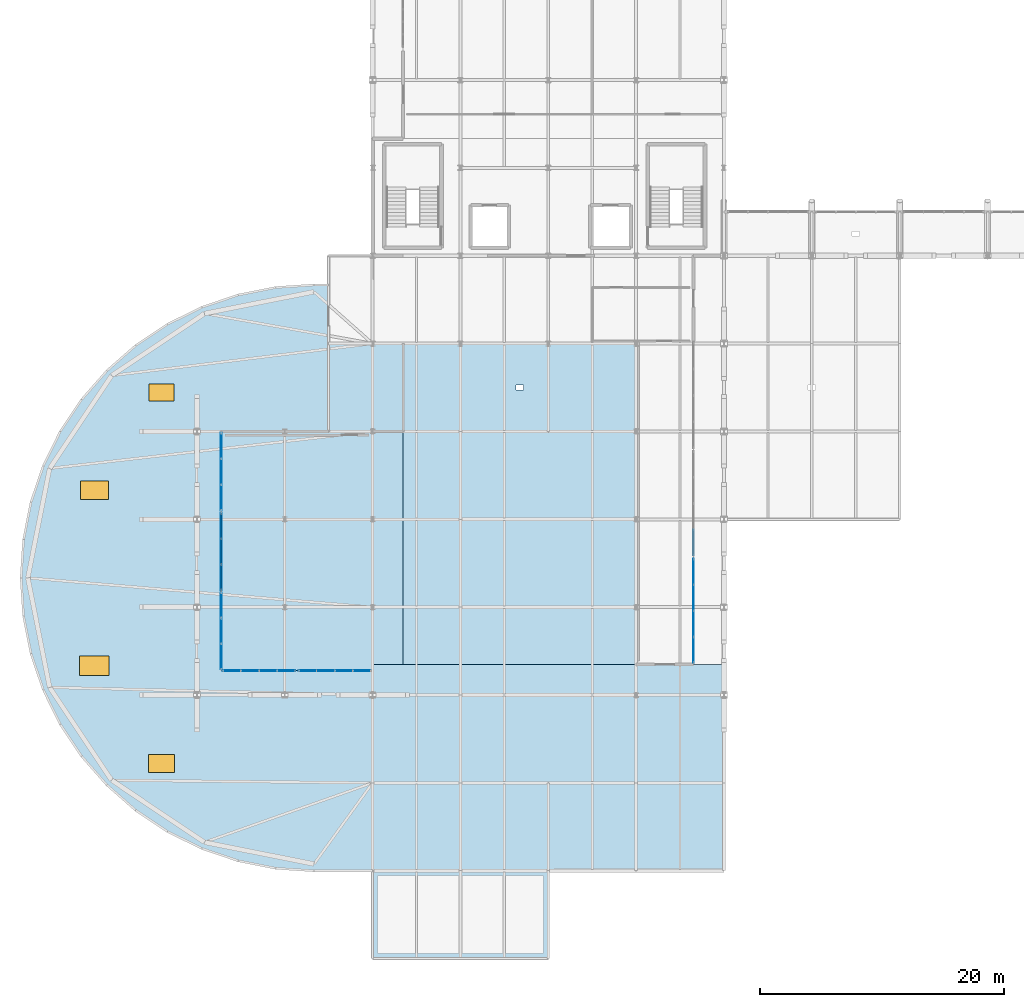
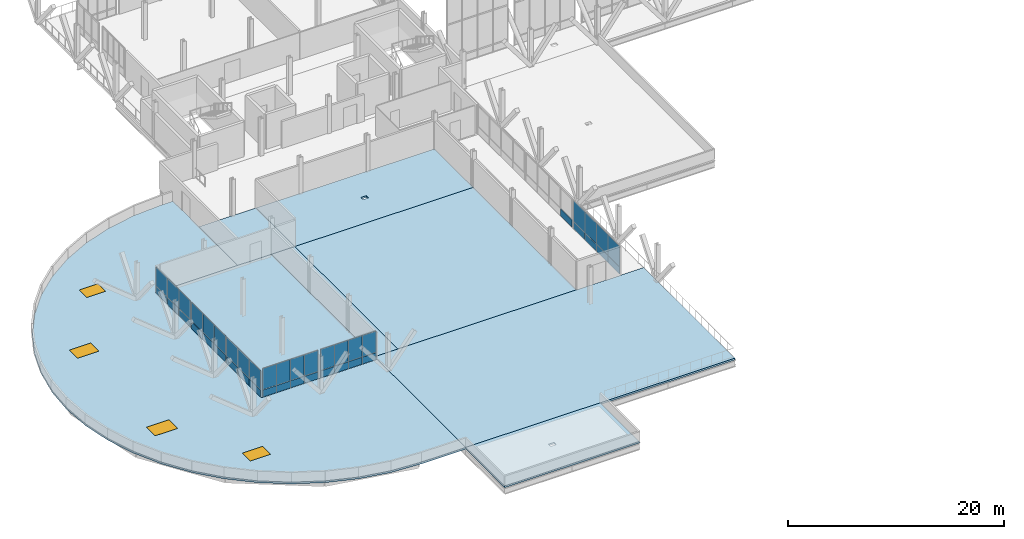
# One storey, part 74 of 102: 43 plates, 8 slabs, 4 windows, 4 openings, 7 elements without a shape of their own.
"""IFC4 building model written with IfcOpenShell, lengths in metres."""

from ifc_helpers import new_model, si_unit, direction, frame, origin, origin_2d, place, context, subcontext, project, spatial, polyline, rectangle, outline, extrude, material, layer, layer_set, type_object, element, fill, aggregate, save


model = new_model("IFC4")

# Units and contexts
model_context = context("Model", 3, precision=1e-05, world=origin(), true_north=direction((0.0, 1.0)))
body_context = subcontext(model_context, "Body", "Model", "MODEL_VIEW")
ifc_project = project(units=[si_unit("LENGTHUNIT", "METRE"), si_unit("AREAUNIT", "SQUARE_METRE"), si_unit("VOLUMEUNIT", "CUBIC_METRE"), si_unit("PLANEANGLEUNIT", "RADIAN"), si_unit("MASSUNIT", "GRAM", prefix="KILO")], contexts=[model_context])

# Site, building, storey
site_placement = place(None, origin())
site = spatial("IfcSite", under=ifc_project, at=site_placement, CompositionType="ELEMENT")
building_placement = place(site_placement, origin())
building = spatial("IfcBuilding", under=site, at=building_placement, Name="Yarey Park Central Fire Station", CompositionType="ELEMENT")
storey_placement = place(building_placement, frame((0.0, 0.0, 6.0)))
storey = spatial("IfcBuildingStorey", under=building, at=storey_placement, Name="L02", CompositionType="ELEMENT", Elevation=6.0)

# Curtain wall, plates
ifc_material_1 = material(Name="Anodized Aluminium Frame", Category="aluminium")
curtain_wall_type_1 = type_object("IfcCurtainWallType", Name="ENV_CW_V3_GALW", PredefinedType="NOTDEFINED", material=ifc_material_1)
curtain_wall_1_placement = place(storey_placement, origin())
curtain_wall_1 = element("IfcCurtainWall", 1, at=curtain_wall_1_placement, inside=storey, type_object=curtain_wall_type_1, Name="CW_L02_V1_W_032", PredefinedType="NOTDEFINED")
ifc_material_2 = material(Name="Insulated Aluminium Spandrel Panel", Category="aluminium")
ifc_layer_1 = layer(ifc_material_2, 0.055908203125)
ifc_layer_set_1 = layer_set([ifc_layer_1], Name="Insulated Aluminium Spandrel Panel")
plate_type_1 = type_object("IfcPlateType", Name="ENV_PNL_SPN_01", PredefinedType="CURTAIN_PANEL", material=ifc_layer_set_1)
plate_1_placement = place(storey_placement, frame((16.39990234375, 42.046630859375, 0.04248046875), z_axis=(0.0, 0.0, 1.0), x_axis=(0.0, -1.0, 0.0)))
plate_1 = element("IfcPlate", 2, at=plate_1_placement, type_object=plate_type_1, Name="CW_L02_V1_W_032_PNL01", PredefinedType="CURTAIN_PANEL", context=body_context, shape_type="SweptSolid", body=[
    extrude(rectangle(XDim=2.106689453125, YDim=0.055908203125, at=origin_2d()), origin(), (0.0, 0.0, 1.0), 0.7900390625),
])
plate_2_placement = place(storey_placement, frame((16.39990234375, 39.89990234375, 0.04248046875), z_axis=(0.0, 0.0, 1.0), x_axis=(0.0, -1.0, 0.0)))
plate_2 = element("IfcPlate", 3, at=plate_2_placement, type_object=plate_type_1, Name="CW_L02_V1_W_032_PNL03", PredefinedType="CURTAIN_PANEL", context=body_context, shape_type="SweptSolid", body=[
    extrude(rectangle(XDim=2.106689453125, YDim=0.055908203125, at=origin_2d()), origin(), (0.0, 0.0, 1.0), 0.7900390625),
])
plate_3_placement = place(storey_placement, frame((16.39990234375, 37.75341796875, 0.04248046875), z_axis=(0.0, 0.0, 1.0), x_axis=(0.0, -1.0, 0.0)))
plate_3 = element("IfcPlate", 4, at=plate_3_placement, type_object=plate_type_1, Name="CW_L02_V1_W_032_PNL05", PredefinedType="CURTAIN_PANEL", context=body_context, shape_type="SweptSolid", body=[
    extrude(rectangle(XDim=2.106689453125, YDim=0.055908203125, at=origin_2d()), origin(), (0.0, 0.0, 1.0), 0.7900390625),
])

curtain_wall_type_2 = type_object("IfcCurtainWallType", Name="ENV_CW_V3_GALN", PredefinedType="NOTDEFINED", material=ifc_material_1)
curtain_wall_2_placement = place(storey_placement, origin())
curtain_wall_2 = element("IfcCurtainWall", 5, at=curtain_wall_2_placement, inside=storey, type_object=curtain_wall_type_2, Name="CW_L02_V1_SW_033", PredefinedType="NOTDEFINED")
ifc_layer_2 = layer(ifc_material_2, 0.068115234375)
ifc_layer_set_2 = layer_set([ifc_layer_2], Name="Insulated Aluminium Spandrel Panel")
plate_type_2 = type_object("IfcPlateType", Name="ENV_PNL_SPN_02", PredefinedType="CURTAIN_PANEL", material=ifc_layer_set_2)
plate_4_placement = place(storey_placement, frame((17.264892578125, 23.60009765625, 0.04248046875), z_axis=(0.0, 0.0, 1.0), x_axis=(1.0, 0.0, 0.0)))
plate_4 = element("IfcPlate", 6, at=plate_4_placement, type_object=plate_type_2, Name="CW_L02_V1_SW_033_PNL01", PredefinedType="CURTAIN_PANEL", context=body_context, shape_type="SweptSolid", body=[
    extrude(rectangle(XDim=1.449951171875, YDim=0.068115234375, at=origin_2d()), origin(), (0.0, 0.0, 1.0), 0.7900390625),
])
plate_5_placement = place(storey_placement, frame((18.7548828125, 23.60009765625, 0.04248046875), z_axis=(0.0, 0.0, 1.0), x_axis=(1.0, 0.0, 0.0)))
plate_5 = element("IfcPlate", 7, at=plate_5_placement, type_object=plate_type_2, Name="CW_L02_V1_SW_033_PNL03", PredefinedType="CURTAIN_PANEL", context=body_context, shape_type="SweptSolid", body=[
    extrude(rectangle(XDim=1.449951171875, YDim=0.068115234375, at=origin_2d()), origin(), (0.0, 0.0, 1.0), 0.7900390625),
])
plate_6_placement = place(storey_placement, frame((20.2451171875, 23.60009765625, 0.04248046875), z_axis=(0.0, 0.0, 1.0), x_axis=(1.0, 0.0, 0.0)))
plate_6 = element("IfcPlate", 8, at=plate_6_placement, type_object=plate_type_2, Name="CW_L02_V1_SW_033_PNL05", PredefinedType="CURTAIN_PANEL", context=body_context, shape_type="SweptSolid", body=[
    extrude(rectangle(XDim=1.449951171875, YDim=0.068115234375, at=origin_2d()), origin(), (0.0, 0.0, 1.0), 0.7900390625),
])
plate_7_placement = place(storey_placement, frame((21.735107421875, 23.60009765625, 0.04248046875), z_axis=(0.0, 0.0, 1.0), x_axis=(1.0, 0.0, 0.0)))
plate_7 = element("IfcPlate", 9, at=plate_7_placement, type_object=plate_type_2, Name="CW_L02_V1_SW_033_PNL07", PredefinedType="CURTAIN_PANEL", context=body_context, shape_type="SweptSolid", body=[
    extrude(rectangle(XDim=1.449951171875, YDim=0.068115234375, at=origin_2d()), origin(), (0.0, 0.0, 1.0), 0.7900390625),
])

curtain_wall_3_placement = place(storey_placement, origin())
curtain_wall_3 = element("IfcCurtainWall", 10, at=curtain_wall_3_placement, inside=storey, type_object=curtain_wall_type_1, Name="CW_L02_V1_E_037", PredefinedType="NOTDEFINED")
plate_8_placement = place(storey_placement, frame((55.10009765625, 25.2900390625, 0.04248046875), z_axis=(0.0, 0.0, 1.0), x_axis=(0.0, 1.0, 0.0)))
plate_8 = element("IfcPlate", 11, at=plate_8_placement, type_object=plate_type_2, Name="CW_L02_V1_E_037_PNL01", PredefinedType="CURTAIN_PANEL", context=body_context, shape_type="SweptSolid", body=[
    extrude(rectangle(XDim=2.10009765625, YDim=0.068115234375, at=origin_2d()), origin(), (0.0, 0.0, 1.0), 0.7900390625),
])
plate_9_placement = place(storey_placement, frame((55.10009765625, 27.429931640625, 0.04248046875), z_axis=(0.0, 0.0, 1.0), x_axis=(0.0, 1.0, 0.0)))
plate_9 = element("IfcPlate", 12, at=plate_9_placement, type_object=plate_type_2, Name="CW_L02_V1_E_037_PNL03", PredefinedType="CURTAIN_PANEL", context=body_context, shape_type="SweptSolid", body=[
    extrude(rectangle(XDim=2.10009765625, YDim=0.068115234375, at=origin_2d()), origin(), (0.0, 0.0, 1.0), 0.7900390625),
])
plate_10_placement = place(storey_placement, frame((55.10009765625, 29.570068359375, 0.04248046875), z_axis=(0.0, 0.0, 1.0), x_axis=(0.0, 1.0, 0.0)))
plate_10 = element("IfcPlate", 13, at=plate_10_placement, type_object=plate_type_2, Name="CW_L02_V1_E_037_PNL05", PredefinedType="CURTAIN_PANEL", context=body_context, shape_type="SweptSolid", body=[
    extrude(rectangle(XDim=2.10009765625, YDim=0.068115234375, at=origin_2d()), origin(), (0.0, 0.0, 1.0), 0.7900390625),
])
plate_11_placement = place(storey_placement, frame((55.10009765625, 31.7099609375, 0.04248046875), z_axis=(0.0, 0.0, 1.0), x_axis=(0.0, 1.0, 0.0)))
plate_11 = element("IfcPlate", 14, at=plate_11_placement, type_object=plate_type_2, Name="CW_L02_V1_E_037_PNL07", PredefinedType="CURTAIN_PANEL", context=body_context, shape_type="SweptSolid", body=[
    extrude(rectangle(XDim=2.10009765625, YDim=0.068115234375, at=origin_2d()), origin(), (0.0, 0.0, 1.0), 0.7900390625),
])

curtain_wall_4_placement = place(storey_placement, origin())
curtain_wall_4 = element("IfcCurtainWall", 15, at=curtain_wall_4_placement, inside=storey, type_object=curtain_wall_type_1, Name="CW_L02_V1_W_030", PredefinedType="NOTDEFINED")
ifc_layer_3 = layer(ifc_material_2, 0.077880859375)
ifc_layer_set_3 = layer_set([ifc_layer_3], Name="Insulated Aluminium Spandrel Panel")
plate_type_3 = type_object("IfcPlateType", Name="ENV_PNL_SPN_03", PredefinedType="CURTAIN_PANEL", material=ifc_layer_set_3)
plate_12_placement = place(storey_placement, frame((16.39990234375, 28.96337890625, 0.04248046875), z_axis=(0.0, 0.0, 1.0), x_axis=(0.0, -1.0, 0.0)))
plate_12 = element("IfcPlate", 16, at=plate_12_placement, type_object=plate_type_3, Name="CW_L02_V1_W_030_PNL01", PredefinedType="CURTAIN_PANEL", context=body_context, shape_type="SweptSolid", body=[
    extrude(rectangle(XDim=2.0732421875, YDim=0.077880859375, at=origin_2d()), origin(), (0.0, 0.0, 1.0), 0.7900390625),
])
plate_13_placement = place(storey_placement, frame((16.39990234375, 26.85009765625, 0.04248046875), z_axis=(0.0, 0.0, 1.0), x_axis=(0.0, -1.0, 0.0)))
plate_13 = element("IfcPlate", 17, at=plate_13_placement, type_object=plate_type_3, Name="CW_L02_V1_W_030_PNL03", PredefinedType="CURTAIN_PANEL", context=body_context, shape_type="SweptSolid", body=[
    extrude(rectangle(XDim=2.0732421875, YDim=0.077880859375, at=origin_2d()), origin(), (0.0, 0.0, 1.0), 0.7900390625),
])
plate_14_placement = place(storey_placement, frame((16.39990234375, 24.73681640625, 0.04248046875), z_axis=(0.0, 0.0, 1.0), x_axis=(0.0, -1.0, 0.0)))
plate_14 = element("IfcPlate", 18, at=plate_14_placement, type_object=plate_type_3, Name="CW_L02_V1_W_030_PNL05", PredefinedType="CURTAIN_PANEL", context=body_context, shape_type="SweptSolid", body=[
    extrude(rectangle(XDim=2.0732421875, YDim=0.077880859375, at=origin_2d()), origin(), (0.0, 0.0, 1.0), 0.7900390625),
])

curtain_wall_5_placement = place(storey_placement, origin())
curtain_wall_5 = element("IfcCurtainWall", 19, at=curtain_wall_5_placement, inside=storey, type_object=curtain_wall_type_2, Name="CW_L02_V1_SW_034", PredefinedType="NOTDEFINED")
plate_15_placement = place(storey_placement, frame((23.465087890625, 23.60009765625, 0.04248046875), z_axis=(0.0, 0.0, 1.0), x_axis=(1.0, 0.0, 0.0)))
plate_15 = element("IfcPlate", 20, at=plate_15_placement, type_object=plate_type_3, Name="CW_L02_V1_SW_034_PNL01", PredefinedType="CURTAIN_PANEL", context=body_context, shape_type="SweptSolid", body=[
    extrude(rectangle(XDim=1.449951171875, YDim=0.077880859375, at=origin_2d()), origin(), (0.0, 0.0, 1.0), 0.7900390625),
])
plate_16_placement = place(storey_placement, frame((24.955078125, 23.60009765625, 0.04248046875), z_axis=(0.0, 0.0, 1.0), x_axis=(1.0, 0.0, 0.0)))
plate_16 = element("IfcPlate", 21, at=plate_16_placement, type_object=plate_type_3, Name="CW_L02_V1_SW_034_PNL03", PredefinedType="CURTAIN_PANEL", context=body_context, shape_type="SweptSolid", body=[
    extrude(rectangle(XDim=1.449951171875, YDim=0.077880859375, at=origin_2d()), origin(), (0.0, 0.0, 1.0), 0.7900390625),
])
plate_17_placement = place(storey_placement, frame((26.445068359375, 23.60009765625, 0.04248046875), z_axis=(0.0, 0.0, 1.0), x_axis=(1.0, 0.0, 0.0)))
plate_17 = element("IfcPlate", 22, at=plate_17_placement, type_object=plate_type_3, Name="CW_L02_V1_SW_034_PNL05", PredefinedType="CURTAIN_PANEL", context=body_context, shape_type="SweptSolid", body=[
    extrude(rectangle(XDim=1.449951171875, YDim=0.077880859375, at=origin_2d()), origin(), (0.0, 0.0, 1.0), 0.7900390625),
])
plate_18_placement = place(storey_placement, frame((27.93505859375, 23.60009765625, 0.04248046875), z_axis=(0.0, 0.0, 1.0), x_axis=(1.0, 0.0, 0.0)))
plate_18 = element("IfcPlate", 23, at=plate_18_placement, type_object=plate_type_3, Name="CW_L02_V1_SW_034_PNL07", PredefinedType="CURTAIN_PANEL", context=body_context, shape_type="SweptSolid", body=[
    extrude(rectangle(XDim=1.449951171875, YDim=0.077880859375, at=origin_2d()), origin(), (0.0, 0.0, 1.0), 0.7900390625),
])

# Curtain wall, plate
curtain_wall_6_placement = place(storey_placement, origin())
curtain_wall_6 = element("IfcCurtainWall", 24, at=curtain_wall_6_placement, inside=storey, type_object=curtain_wall_type_1, Name="CW_L02_V1_E_038", PredefinedType="NOTDEFINED")
plate_19_placement = place(storey_placement, frame((55.10009765625, 34.090087890625, 0.04248046875), z_axis=(0.0, 0.0, 1.0), x_axis=(0.0, 1.0, 0.0)))
plate_19 = element("IfcPlate", 25, at=plate_19_placement, type_object=plate_type_3, Name="CW_L02_V1_E_038_PNL01", PredefinedType="CURTAIN_PANEL", context=body_context, shape_type="SweptSolid", body=[
    extrude(rectangle(XDim=2.10009765625, YDim=0.077880859375, at=origin_2d()), origin(), (0.0, 0.0, 1.0), 0.7900390625),
])
aggregate(curtain_wall_6, [plate_19])

# Curtain wall, plates
curtain_wall_7_placement = place(storey_placement, origin())
curtain_wall_7 = element("IfcCurtainWall", 26, at=curtain_wall_7_placement, inside=storey, type_object=curtain_wall_type_1, Name="CW_L02_V1_W_031", PredefinedType="NOTDEFINED")
ifc_layer_4 = layer(ifc_material_2, 0.087890625)
ifc_layer_set_4 = layer_set([ifc_layer_4], Name="Insulated Aluminium Spandrel Panel")
plate_type_4 = type_object("IfcPlateType", Name="ENV_PNL_SPN_04", PredefinedType="CURTAIN_PANEL", material=ifc_layer_set_4)
plate_20_placement = place(storey_placement, frame((16.39990234375, 35.46337890625, 0.04248046875), z_axis=(0.0, 0.0, 1.0), x_axis=(0.0, -1.0, 0.0)))
plate_20 = element("IfcPlate", 27, at=plate_20_placement, type_object=plate_type_4, Name="CW_L02_V1_W_031_PNL01", PredefinedType="CURTAIN_PANEL", context=body_context, shape_type="SweptSolid", body=[
    extrude(rectangle(XDim=2.0732421875, YDim=0.087890625, at=origin_2d()), origin(), (0.0, 0.0, 1.0), 0.7900390625),
])
plate_21_placement = place(storey_placement, frame((16.39990234375, 33.35009765625, 0.04248046875), z_axis=(0.0, 0.0, 1.0), x_axis=(0.0, -1.0, 0.0)))
plate_21 = element("IfcPlate", 28, at=plate_21_placement, type_object=plate_type_4, Name="CW_L02_V1_W_031_PNL03", PredefinedType="CURTAIN_PANEL", context=body_context, shape_type="SweptSolid", body=[
    extrude(rectangle(XDim=2.0732421875, YDim=0.087890625, at=origin_2d()), origin(), (0.0, 0.0, 1.0), 0.7900390625),
])
plate_22_placement = place(storey_placement, frame((16.39990234375, 31.23681640625, 0.04248046875), z_axis=(0.0, 0.0, 1.0), x_axis=(0.0, -1.0, 0.0)))
plate_22 = element("IfcPlate", 29, at=plate_22_placement, type_object=plate_type_4, Name="CW_L02_V1_W_031_PNL05", PredefinedType="CURTAIN_PANEL", context=body_context, shape_type="SweptSolid", body=[
    extrude(rectangle(XDim=2.0732421875, YDim=0.087890625, at=origin_2d()), origin(), (0.0, 0.0, 1.0), 0.7900390625),
])

# Plate
ifc_material_3 = material(Name="Laminated Hurricane Low-E Glass", Category="glass")
ifc_layer_5 = layer(ifc_material_3, 0.02392578125)
ifc_layer_set_5 = layer_set([ifc_layer_5], Name="Laminated Hurricane Low-E Glass")
plate_type_5 = type_object("IfcPlateType", Name="ENV_PNL_VIS_01", PredefinedType="CURTAIN_PANEL", material=ifc_layer_set_5)
plate_23_placement = place(storey_placement, frame((16.39990234375, 42.046630859375, 0.86767578125), z_axis=(0.0, 0.0, 1.0), x_axis=(0.0, -1.0, 0.0)))
plate_23 = element("IfcPlate", 30, at=plate_23_placement, type_object=plate_type_5, Name="CW_L02_V1_W_032_PNL02", PredefinedType="CURTAIN_PANEL", context=body_context, shape_type="SweptSolid", body=[
    extrude(rectangle(XDim=2.106689453125, YDim=0.02392578125, at=origin_2d()), origin(), (0.0, 0.0, 1.0), 2.117919921875),
])

plate_24_placement = place(storey_placement, frame((16.39990234375, 39.89990234375, 0.86767578125), z_axis=(0.0, 0.0, 1.0), x_axis=(0.0, -1.0, 0.0)))
plate_24 = element("IfcPlate", 31, at=plate_24_placement, type_object=plate_type_5, Name="CW_L02_V1_W_032_PNL04", PredefinedType="CURTAIN_PANEL", context=body_context, shape_type="SweptSolid", body=[
    extrude(rectangle(XDim=2.106689453125, YDim=0.02392578125, at=origin_2d()), origin(), (0.0, 0.0, 1.0), 2.117919921875),
])

plate_25_placement = place(storey_placement, frame((16.39990234375, 37.75341796875, 0.86767578125), z_axis=(0.0, 0.0, 1.0), x_axis=(0.0, -1.0, 0.0)))
plate_25 = element("IfcPlate", 32, at=plate_25_placement, type_object=plate_type_5, Name="CW_L02_V1_W_032_PNL06", PredefinedType="CURTAIN_PANEL", context=body_context, shape_type="SweptSolid", body=[
    extrude(rectangle(XDim=2.106689453125, YDim=0.02392578125, at=origin_2d()), origin(), (0.0, 0.0, 1.0), 2.117919921875),
])

aggregate(curtain_wall_1, [plate_1, plate_23, plate_2, plate_24, plate_3, plate_25])

ifc_layer_6 = layer(ifc_material_3, 0.031982421875)
ifc_layer_set_6 = layer_set([ifc_layer_6], Name="Laminated Hurricane Low-E Glass")
plate_type_6 = type_object("IfcPlateType", Name="ENV_PNL_VIS_02", PredefinedType="CURTAIN_PANEL", material=ifc_layer_set_6)
plate_26_placement = place(storey_placement, frame((17.264892578125, 23.60009765625, 0.86767578125), z_axis=(0.0, 0.0, 1.0), x_axis=(1.0, 0.0, 0.0)))
plate_26 = element("IfcPlate", 33, at=plate_26_placement, type_object=plate_type_6, Name="CW_L02_V1_SW_033_PNL02", PredefinedType="CURTAIN_PANEL", context=body_context, shape_type="SweptSolid", body=[
    extrude(rectangle(XDim=1.449951171875, YDim=0.031982421875, at=origin_2d()), origin(), (0.0, 0.0, 1.0), 2.389892578125),
])

plate_27_placement = place(storey_placement, frame((18.7548828125, 23.60009765625, 0.86767578125), z_axis=(0.0, 0.0, 1.0), x_axis=(1.0, 0.0, 0.0)))
plate_27 = element("IfcPlate", 34, at=plate_27_placement, type_object=plate_type_6, Name="CW_L02_V1_SW_033_PNL04", PredefinedType="CURTAIN_PANEL", context=body_context, shape_type="SweptSolid", body=[
    extrude(rectangle(XDim=1.449951171875, YDim=0.031982421875, at=origin_2d()), origin(), (0.0, 0.0, 1.0), 2.389892578125),
])

plate_28_placement = place(storey_placement, frame((20.2451171875, 23.60009765625, 0.86767578125), z_axis=(0.0, 0.0, 1.0), x_axis=(1.0, 0.0, 0.0)))
plate_28 = element("IfcPlate", 35, at=plate_28_placement, type_object=plate_type_6, Name="CW_L02_V1_SW_033_PNL06", PredefinedType="CURTAIN_PANEL", context=body_context, shape_type="SweptSolid", body=[
    extrude(rectangle(XDim=1.449951171875, YDim=0.031982421875, at=origin_2d()), origin(), (0.0, 0.0, 1.0), 2.389892578125),
])

plate_29_placement = place(storey_placement, frame((21.735107421875, 23.60009765625, 0.86767578125), z_axis=(0.0, 0.0, 1.0), x_axis=(1.0, 0.0, 0.0)))
plate_29 = element("IfcPlate", 36, at=plate_29_placement, type_object=plate_type_6, Name="CW_L02_V1_SW_033_PNL08", PredefinedType="CURTAIN_PANEL", context=body_context, shape_type="SweptSolid", body=[
    extrude(rectangle(XDim=1.449951171875, YDim=0.031982421875, at=origin_2d()), origin(), (0.0, 0.0, 1.0), 2.389892578125),
])

aggregate(curtain_wall_2, [plate_4, plate_26, plate_5, plate_27, plate_6, plate_28, plate_7, plate_29])

plate_30_placement = place(storey_placement, frame((55.10009765625, 25.2900390625, 0.867431640625), z_axis=(0.0, 0.0, 1.0), x_axis=(0.0, 1.0, 0.0)))
plate_30 = element("IfcPlate", 37, at=plate_30_placement, type_object=plate_type_6, Name="CW_L02_V1_E_037_PNL02", PredefinedType="CURTAIN_PANEL", context=body_context, shape_type="SweptSolid", body=[
    extrude(rectangle(XDim=2.10009765625, YDim=0.031982421875, at=origin_2d()), origin(), (0.0, 0.0, 1.0), 2.3369140625),
])

plate_31_placement = place(storey_placement, frame((55.10009765625, 27.429931640625, 0.867431640625), z_axis=(0.0, 0.0, 1.0), x_axis=(0.0, 1.0, 0.0)))
plate_31 = element("IfcPlate", 38, at=plate_31_placement, type_object=plate_type_6, Name="CW_L02_V1_E_037_PNL04", PredefinedType="CURTAIN_PANEL", context=body_context, shape_type="SweptSolid", body=[
    extrude(rectangle(XDim=2.10009765625, YDim=0.031982421875, at=origin_2d()), origin(), (0.0, 0.0, 1.0), 2.3369140625),
])

plate_32_placement = place(storey_placement, frame((55.10009765625, 29.570068359375, 0.867431640625), z_axis=(0.0, 0.0, 1.0), x_axis=(0.0, 1.0, 0.0)))
plate_32 = element("IfcPlate", 39, at=plate_32_placement, type_object=plate_type_6, Name="CW_L02_V1_E_037_PNL06", PredefinedType="CURTAIN_PANEL", context=body_context, shape_type="SweptSolid", body=[
    extrude(rectangle(XDim=2.10009765625, YDim=0.031982421875, at=origin_2d()), origin(), (0.0, 0.0, 1.0), 2.3369140625),
])

plate_33_placement = place(storey_placement, frame((55.10009765625, 31.7099609375, 0.867431640625), z_axis=(0.0, 0.0, 1.0), x_axis=(0.0, 1.0, 0.0)))
plate_33 = element("IfcPlate", 40, at=plate_33_placement, type_object=plate_type_6, Name="CW_L02_V1_E_037_PNL08", PredefinedType="CURTAIN_PANEL", context=body_context, shape_type="SweptSolid", body=[
    extrude(rectangle(XDim=2.10009765625, YDim=0.031982421875, at=origin_2d()), origin(), (0.0, 0.0, 1.0), 2.3369140625),
])

aggregate(curtain_wall_3, [plate_8, plate_30, plate_9, plate_31, plate_10, plate_32, plate_11, plate_33])

ifc_layer_7 = layer(ifc_material_3, 0.0380859375)
ifc_layer_set_7 = layer_set([ifc_layer_7], Name="Laminated Hurricane Low-E Glass")
plate_type_7 = type_object("IfcPlateType", Name="ENV_PNL_VIS_03", PredefinedType="CURTAIN_PANEL", material=ifc_layer_set_7)
plate_34_placement = place(storey_placement, frame((16.39990234375, 28.96337890625, 0.86767578125), z_axis=(0.0, 0.0, 1.0), x_axis=(0.0, -1.0, 0.0)))
plate_34 = element("IfcPlate", 41, at=plate_34_placement, type_object=plate_type_7, Name="CW_L02_V1_W_030_PNL02", PredefinedType="CURTAIN_PANEL", context=body_context, shape_type="SweptSolid", body=[
    extrude(rectangle(XDim=2.0732421875, YDim=0.0380859375, at=origin_2d()), origin(), (0.0, 0.0, 1.0), 2.117919921875),
])

plate_35_placement = place(storey_placement, frame((16.39990234375, 26.85009765625, 0.86767578125), z_axis=(0.0, 0.0, 1.0), x_axis=(0.0, -1.0, 0.0)))
plate_35 = element("IfcPlate", 42, at=plate_35_placement, type_object=plate_type_7, Name="CW_L02_V1_W_030_PNL04", PredefinedType="CURTAIN_PANEL", context=body_context, shape_type="SweptSolid", body=[
    extrude(rectangle(XDim=2.0732421875, YDim=0.0380859375, at=origin_2d()), origin(), (0.0, 0.0, 1.0), 2.117919921875),
])

plate_36_placement = place(storey_placement, frame((16.39990234375, 24.73681640625, 0.86767578125), z_axis=(0.0, 0.0, 1.0), x_axis=(0.0, -1.0, 0.0)))
plate_36 = element("IfcPlate", 43, at=plate_36_placement, type_object=plate_type_7, Name="CW_L02_V1_W_030_PNL06", PredefinedType="CURTAIN_PANEL", context=body_context, shape_type="SweptSolid", body=[
    extrude(rectangle(XDim=2.0732421875, YDim=0.0380859375, at=origin_2d()), origin(), (0.0, 0.0, 1.0), 2.117919921875),
])

aggregate(curtain_wall_4, [plate_12, plate_34, plate_13, plate_35, plate_14, plate_36])

plate_37_placement = place(storey_placement, frame((23.465087890625, 23.60009765625, 0.86767578125), z_axis=(0.0, 0.0, 1.0), x_axis=(1.0, 0.0, 0.0)))
plate_37 = element("IfcPlate", 44, at=plate_37_placement, type_object=plate_type_7, Name="CW_L02_V1_SW_034_PNL02", PredefinedType="CURTAIN_PANEL", context=body_context, shape_type="SweptSolid", body=[
    extrude(rectangle(XDim=1.449951171875, YDim=0.0380859375, at=origin_2d()), origin(), (0.0, 0.0, 1.0), 2.389892578125),
])

plate_38_placement = place(storey_placement, frame((24.955078125, 23.60009765625, 0.86767578125), z_axis=(0.0, 0.0, 1.0), x_axis=(1.0, 0.0, 0.0)))
plate_38 = element("IfcPlate", 45, at=plate_38_placement, type_object=plate_type_7, Name="CW_L02_V1_SW_034_PNL04", PredefinedType="CURTAIN_PANEL", context=body_context, shape_type="SweptSolid", body=[
    extrude(rectangle(XDim=1.449951171875, YDim=0.0380859375, at=origin_2d()), origin(), (0.0, 0.0, 1.0), 2.389892578125),
])

plate_39_placement = place(storey_placement, frame((26.445068359375, 23.60009765625, 0.86767578125), z_axis=(0.0, 0.0, 1.0), x_axis=(1.0, 0.0, 0.0)))
plate_39 = element("IfcPlate", 46, at=plate_39_placement, type_object=plate_type_7, Name="CW_L02_V1_SW_034_PNL06", PredefinedType="CURTAIN_PANEL", context=body_context, shape_type="SweptSolid", body=[
    extrude(rectangle(XDim=1.449951171875, YDim=0.0380859375, at=origin_2d()), origin(), (0.0, 0.0, 1.0), 2.389892578125),
])

plate_40_placement = place(storey_placement, frame((27.93505859375, 23.60009765625, 0.86767578125), z_axis=(0.0, 0.0, 1.0), x_axis=(1.0, 0.0, 0.0)))
plate_40 = element("IfcPlate", 47, at=plate_40_placement, type_object=plate_type_7, Name="CW_L02_V1_SW_034_PNL08", PredefinedType="CURTAIN_PANEL", context=body_context, shape_type="SweptSolid", body=[
    extrude(rectangle(XDim=1.449951171875, YDim=0.0380859375, at=origin_2d()), origin(), (0.0, 0.0, 1.0), 2.389892578125),
])

aggregate(curtain_wall_5, [plate_15, plate_37, plate_16, plate_38, plate_17, plate_39, plate_18, plate_40])

ifc_layer_8 = layer(ifc_material_3, 0.0458984375)
ifc_layer_set_8 = layer_set([ifc_layer_8], Name="Laminated Hurricane Low-E Glass")
plate_type_8 = type_object("IfcPlateType", Name="ENV_PNL_VIS_04", PredefinedType="CURTAIN_PANEL", material=ifc_layer_set_8)
plate_41_placement = place(storey_placement, frame((16.39990234375, 35.46337890625, 0.86767578125), z_axis=(0.0, 0.0, 1.0), x_axis=(0.0, -1.0, 0.0)))
plate_41 = element("IfcPlate", 48, at=plate_41_placement, type_object=plate_type_8, Name="CW_L02_V1_W_031_PNL02", PredefinedType="CURTAIN_PANEL", context=body_context, shape_type="SweptSolid", body=[
    extrude(rectangle(XDim=2.0732421875, YDim=0.0458984375, at=origin_2d()), origin(), (0.0, 0.0, 1.0), 2.117919921875),
])

plate_42_placement = place(storey_placement, frame((16.39990234375, 33.35009765625, 0.86767578125), z_axis=(0.0, 0.0, 1.0), x_axis=(0.0, -1.0, 0.0)))
plate_42 = element("IfcPlate", 49, at=plate_42_placement, type_object=plate_type_8, Name="CW_L02_V1_W_031_PNL04", PredefinedType="CURTAIN_PANEL", context=body_context, shape_type="SweptSolid", body=[
    extrude(rectangle(XDim=2.0732421875, YDim=0.0458984375, at=origin_2d()), origin(), (0.0, 0.0, 1.0), 2.117919921875),
])

plate_43_placement = place(storey_placement, frame((16.39990234375, 31.23681640625, 0.86767578125), z_axis=(0.0, 0.0, 1.0), x_axis=(0.0, -1.0, 0.0)))
plate_43 = element("IfcPlate", 50, at=plate_43_placement, type_object=plate_type_8, Name="CW_L02_V1_W_031_PNL06", PredefinedType="CURTAIN_PANEL", context=body_context, shape_type="SweptSolid", body=[
    extrude(rectangle(XDim=2.0732421875, YDim=0.0458984375, at=origin_2d()), origin(), (0.0, 0.0, 1.0), 2.117919921875),
])

aggregate(curtain_wall_7, [plate_20, plate_41, plate_21, plate_42, plate_22, plate_43])

# Slab
ifc_material_4 = material(Name="Concrete C40/50", Category="concrete")
ifc_layer_9 = layer(ifc_material_4, 0.195068359375)
ifc_layer_set_9 = layer_set([ifc_layer_9], Name="Concrete C40/50")
slab_type_1 = type_object("IfcSlabType", Name="STR_ROOF_FLAT195", PredefinedType="ROOF", material=ifc_layer_set_9)
slab_1_placement = place(storey_placement, frame((0.0, 0.0, -0.195068359375)))
element("IfcSlab", 51, at=slab_1_placement, inside=storey, type_object=slab_type_1, Name="ROOF_L02_V1_ARCADE", PredefinedType="ROOF", context=body_context, shape_type="SweptSolid", body=[
    extrude(outline(polyline([(28.800048828125, 0.0), (43.199951171875, 0.0), (43.199951171875, 7.199951171875), (28.800048828125, 7.199951171875), (28.800048828125, 0.0)]), holes=[polyline([(35.699951171875, 3.39990234375), (36.300048828125, 3.39990234375), (36.300048828125, 3.800048828125), (35.699951171875, 3.800048828125), (35.699951171875, 3.39990234375)])]), origin(), (0.0, 0.0, 1.0), 0.195068359375),
])

# Slab, openings, windows
ifc_layer_10 = layer(ifc_material_4, 0.2099609375)
ifc_layer_set_10 = layer_set([ifc_layer_10], Name="Concrete C40/50")
slab_type_2 = type_object("IfcSlabType", Name="STR_ROOF_FLAT210", PredefinedType="ROOF", material=ifc_layer_set_10)
slab_2_placement = place(storey_placement, frame((0.0, 0.0, -0.2099609375)))
slab_2 = element("IfcSlab", 52, at=slab_2_placement, inside=storey, type_object=slab_type_2, Name="ROOF_L02_V1_DRUM", PredefinedType="ROOF", context=body_context, shape_type="SweptSolid", body=[
    extrude(outline(polyline([(28.800048828125, 7.199951171875), (24.0, 7.199951171875), (20.867431640625, 7.4052734375), (17.788330078125, 8.017822265625), (14.815673828125, 9.02685546875), (12.0, 10.415283203125), (9.3896484375, 12.159423828125), (7.029296875, 14.2294921875), (4.95947265625, 16.589599609375), (3.21533203125, 19.199951171875), (1.826904296875, 22.015625), (0.81787109375, 24.98828125), (0.205322265625, 28.0673828125), (0.0, 31.199951171875), (0.205322265625, 34.33251953125), (0.81787109375, 37.41162109375), (1.826904296875, 40.384521484375), (3.21533203125, 43.199951171875), (4.95947265625, 45.810302734375), (7.029296875, 48.170654296875), (9.3896484375, 50.240478515625), (12.0, 51.984619140625), (14.815673828125, 53.373046875), (17.788330078125, 54.382080078125), (20.867431640625, 54.99462890625), (24.0, 55.199951171875), (25.199951171875, 55.199951171875), (25.199951171875, 43.199951171875), (16.39990234375, 43.199951171875), (16.39990234375, 23.60009765625), (28.800048828125, 23.60009765625), (28.800048828125, 7.199951171875)])), origin(), (0.0, 0.0, 1.0), 0.2099609375),
])
opening_1_placement = place(slab_2_placement, frame((6.0, 24.0, -0.010009765625)))
opening_1 = element("IfcOpeningElement", 53, at=opening_1_placement, cuts=slab_2, Name="Opening SK-01", PredefinedType="OPENING", context=body_context, shape_type="SweptSolid", body=[
    extrude(rectangle(XDim=2.39990234375, YDim=1.60009765625, at=origin_2d()), origin(), (0.0, 0.0, 1.0), 0.22998046875),
])
opening_2_placement = place(slab_2_placement, frame((6.0, 38.39990234375, -0.010009765625)))
opening_2 = element("IfcOpeningElement", 54, at=opening_2_placement, cuts=slab_2, Name="Opening SK-02", PredefinedType="OPENING", context=body_context, shape_type="SweptSolid", body=[
    extrude(rectangle(XDim=2.280029296875, YDim=1.52001953125, at=origin_2d()), origin(), (0.0, 0.0, 1.0), 0.22998046875),
])
opening_3_placement = place(slab_2_placement, frame((11.5, 16.0, -0.010009765625)))
opening_3 = element("IfcOpeningElement", 55, at=opening_3_placement, cuts=slab_2, Name="Opening SK-03", PredefinedType="OPENING", context=body_context, shape_type="SweptSolid", body=[
    extrude(rectangle(XDim=2.159912109375, YDim=1.4599609375, at=origin_2d()), origin(), (0.0, 0.0, 1.0), 0.22998046875),
])
opening_4_placement = place(slab_2_placement, frame((11.5, 46.39990234375, -0.010009765625)))
opening_4 = element("IfcOpeningElement", 56, at=opening_4_placement, cuts=slab_2, Name="Opening SK-04", PredefinedType="OPENING", context=body_context, shape_type="SweptSolid", body=[
    extrude(rectangle(XDim=2.0400390625, YDim=1.39990234375, at=origin_2d()), origin(), (0.0, 0.0, 1.0), 0.22998046875),
])
window_type_1 = type_object("IfcWindowType", Name="ENV_SKY_01", PartitioningType="SINGLE_PANEL", PredefinedType="SKYLIGHT", material=ifc_material_3)
window_1_placement = place(slab_2_placement, frame((6.0, 24.0, 0.159912109375)))
window_1 = element("IfcWindow", 57, at=window_1_placement, inside=storey, type_object=window_type_1, Name="SKY_L02_DRUM_1", OverallHeight=1.60009765625, OverallWidth=2.39990234375, PartitioningType="SINGLE_PANEL", PredefinedType="SKYLIGHT", context=body_context, shape_type="SweptSolid", body=[
    extrude(rectangle(XDim=2.39990234375, YDim=1.60009765625, at=origin_2d()), origin(), (0.0, 0.0, 1.0), 0.050048828125),
])
fill(opening_1, window_1)
window_type_2 = type_object("IfcWindowType", Name="ENV_SKY_02", PartitioningType="SINGLE_PANEL", PredefinedType="SKYLIGHT", material=ifc_material_3)
window_2_placement = place(slab_2_placement, frame((6.0, 38.39990234375, 0.159912109375)))
window_2 = element("IfcWindow", 58, at=window_2_placement, inside=storey, type_object=window_type_2, Name="SKY_L02_DRUM_2", OverallHeight=1.52001953125, OverallWidth=2.280029296875, PartitioningType="SINGLE_PANEL", PredefinedType="SKYLIGHT", context=body_context, shape_type="SweptSolid", body=[
    extrude(rectangle(XDim=2.280029296875, YDim=1.52001953125, at=origin_2d()), origin(), (0.0, 0.0, 1.0), 0.050048828125),
])
fill(opening_2, window_2)
window_type_3 = type_object("IfcWindowType", Name="ENV_SKY_03", PartitioningType="SINGLE_PANEL", PredefinedType="SKYLIGHT", material=ifc_material_3)
window_3_placement = place(slab_2_placement, frame((11.5, 16.0, 0.159912109375)))
window_3 = element("IfcWindow", 59, at=window_3_placement, inside=storey, type_object=window_type_3, Name="SKY_L02_DRUM_3", OverallHeight=1.4599609375, OverallWidth=2.159912109375, PartitioningType="SINGLE_PANEL", PredefinedType="SKYLIGHT", context=body_context, shape_type="SweptSolid", body=[
    extrude(rectangle(XDim=2.159912109375, YDim=1.4599609375, at=origin_2d()), origin(), (0.0, 0.0, 1.0), 0.050048828125),
])
fill(opening_3, window_3)
window_type_4 = type_object("IfcWindowType", Name="ENV_SKY_04", PartitioningType="SINGLE_PANEL", PredefinedType="SKYLIGHT", material=ifc_material_3)
window_4_placement = place(slab_2_placement, frame((11.5, 46.39990234375, 0.159912109375)))
window_4 = element("IfcWindow", 60, at=window_4_placement, inside=storey, type_object=window_type_4, Name="SKY_L02_DRUM_4", OverallHeight=1.39990234375, OverallWidth=2.0400390625, PartitioningType="SINGLE_PANEL", PredefinedType="SKYLIGHT", context=body_context, shape_type="SweptSolid", body=[
    extrude(rectangle(XDim=2.0400390625, YDim=1.39990234375, at=origin_2d()), origin(), (0.0, 0.0, 1.0), 0.050048828125),
])
fill(opening_4, window_4)

# Slabs
slab_3_placement = place(storey_placement, frame((0.0, 0.0, -0.2099609375)))
element("IfcSlab", 61, at=slab_3_placement, inside=storey, type_object=slab_type_2, Name="ROOF_L02_V1_CTYD1", PredefinedType="ROOF", context=body_context, shape_type="SweptSolid", body=[
    extrude(outline(polyline([(31.300048828125, 24.10009765625), (50.39990234375, 24.10009765625), (50.39990234375, 43.199951171875), (31.300048828125, 43.199951171875), (31.300048828125, 24.10009765625)])), origin(), (0.0, 0.0, 1.0), 0.2099609375),
])
slab_4_placement = place(storey_placement, frame((0.0, 0.0, -0.2099609375)))
element("IfcSlab", 62, at=slab_4_placement, inside=storey, type_object=slab_type_2, Name="ROOF_L02_V1_CTYD2", PredefinedType="ROOF", context=body_context, shape_type="SweptSolid", body=[
    extrude(outline(polyline([(31.300048828125, 43.199951171875), (50.39990234375, 43.199951171875), (50.39990234375, 50.39990234375), (31.300048828125, 50.39990234375), (31.300048828125, 43.199951171875)]), holes=[polyline([(40.550048828125, 46.60009765625), (41.14990234375, 46.60009765625), (41.14990234375, 47.0), (40.550048828125, 47.0), (40.550048828125, 46.60009765625)])]), origin(), (0.0, 0.0, 1.0), 0.2099609375),
])
ifc_layer_11 = layer(ifc_material_4, 0.284912109375)
ifc_layer_set_11 = layer_set([ifc_layer_11], Name="Concrete C40/50")
slab_type_3 = type_object("IfcSlabType", Name="STR_SLAB_F285", PredefinedType="FLOOR", material=ifc_layer_set_11)
slab_5_placement = place(storey_placement, frame((0.0, 0.0, -0.284912109375)))
element("IfcSlab", 63, at=slab_5_placement, inside=storey, type_object=slab_type_3, Name="SLAB_L02_V1_GAL_W", PredefinedType="FLOOR", context=body_context, shape_type="SweptSolid", body=[
    extrude(outline(polyline([(16.39990234375, 23.60009765625), (28.800048828125, 23.60009765625), (28.800048828125, 43.199951171875), (16.39990234375, 43.199951171875), (16.39990234375, 23.60009765625)])), origin(), (0.0, 0.0, 1.0), 0.284912109375),
])
slab_6_placement = place(storey_placement, frame((0.0, 0.0, -0.284912109375)))
element("IfcSlab", 64, at=slab_6_placement, inside=storey, type_object=slab_type_3, Name="SLAB_L02_V1_GAL_NW", PredefinedType="FLOOR", context=body_context, shape_type="SweptSolid", body=[
    extrude(outline(polyline([(25.199951171875, 43.199951171875), (31.300048828125, 43.199951171875), (31.300048828125, 50.39990234375), (25.199951171875, 50.39990234375), (25.199951171875, 43.199951171875)])), origin(), (0.0, 0.0, 1.0), 0.284912109375),
])
ifc_layer_12 = layer(ifc_material_4, 0.205078125)
ifc_layer_set_12 = layer_set([ifc_layer_12], Name="Concrete C40/50")
slab_type_4 = type_object("IfcSlabType", Name="STR_SLAB_TER205", PredefinedType="FLOOR", material=ifc_layer_set_12)
slab_7_placement = place(storey_placement, frame((0.0, 0.0, -0.205078125)))
element("IfcSlab", 65, at=slab_7_placement, inside=storey, type_object=slab_type_4, Name="SLAB_L02_V1_TER", PredefinedType="FLOOR", context=body_context, shape_type="SweptSolid", body=[
    extrude(outline(polyline([(28.800048828125, 7.199951171875), (57.60009765625, 7.199951171875), (57.60009765625, 24.10009765625), (28.800048828125, 24.10009765625), (28.800048828125, 7.199951171875)])), origin(), (0.0, 0.0, 1.0), 0.205078125),
])
slab_8_placement = place(storey_placement, frame((0.0, 0.0, -0.205078125)))
element("IfcSlab", 66, at=slab_8_placement, inside=storey, type_object=slab_type_4, Name="SLAB_L02_V1_VER_W", PredefinedType="FLOOR", context=body_context, shape_type="SweptSolid", body=[
    extrude(outline(polyline([(28.800048828125, 24.10009765625), (31.300048828125, 24.10009765625), (31.300048828125, 43.199951171875), (28.800048828125, 43.199951171875), (28.800048828125, 24.10009765625)])), origin(), (0.0, 0.0, 1.0), 0.205078125),
])

save(model, "model.ifc")
